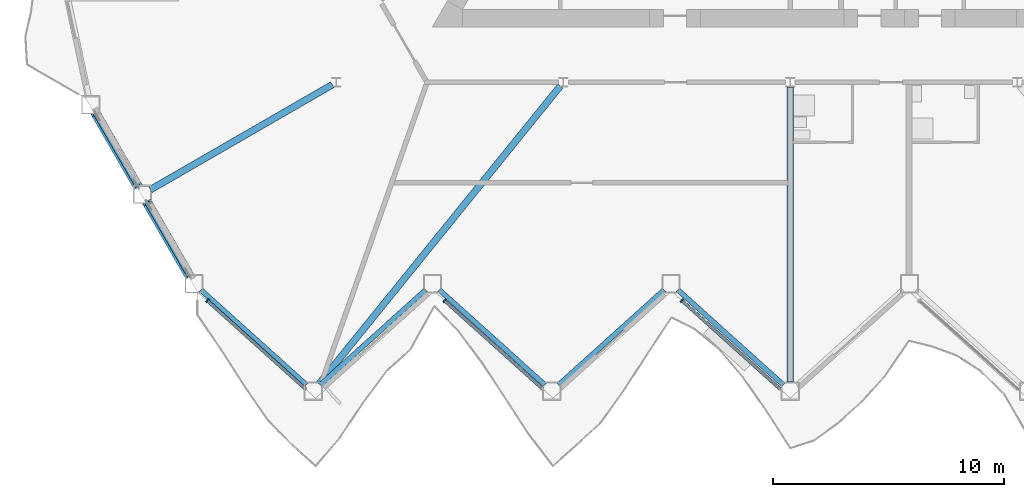
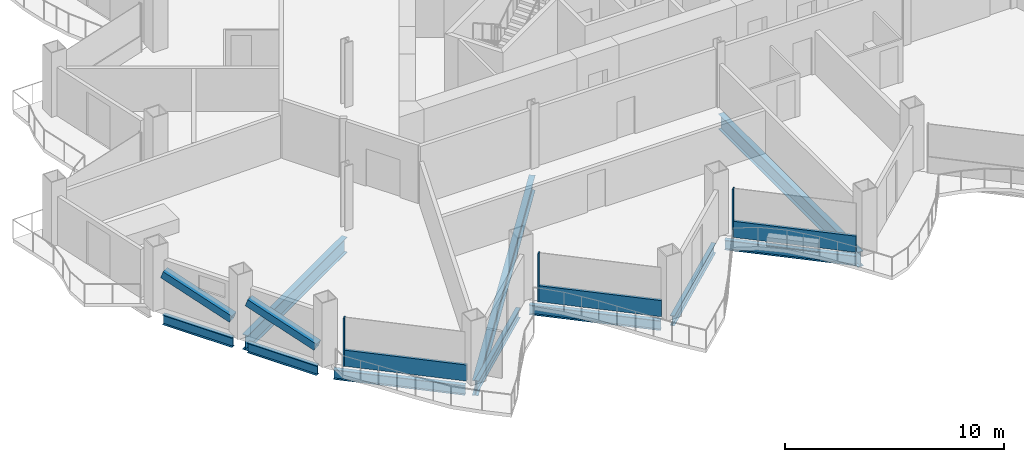
# One storey, part 3 of 22: 10 beams, 8 members, 3 elements without a shape of their own.
"""IFC4 building model written with IfcOpenShell, lengths in metres."""

from ifc_helpers import new_model, si_unit, direction, frame, origin, origin_2d, place, context, subcontext, project, spatial, rectangle, hollow_rectangle, i_section, extrude, material, layer, layer_set, material_profile, profile_set, type_object, element, aggregate, save


model = new_model("IFC4")

# Units and contexts
model_context = context("Model", 3, precision=1e-05, world=origin(), true_north=direction((0.0, 1.0)))
body_context = subcontext(model_context, "Body", "Model", "MODEL_VIEW")
ifc_project = project(units=[si_unit("LENGTHUNIT", "METRE"), si_unit("AREAUNIT", "SQUARE_METRE"), si_unit("VOLUMEUNIT", "CUBIC_METRE"), si_unit("PLANEANGLEUNIT", "RADIAN"), si_unit("MASSUNIT", "GRAM", prefix="KILO")], contexts=[model_context])

# Site, building, storey
site_placement = place(None, origin())
site = spatial("IfcSite", under=ifc_project, at=site_placement, CompositionType="ELEMENT")
building_placement = place(site_placement, origin())
building = spatial("IfcBuilding", under=site, at=building_placement, Name="Cormorant Prow Tower", CompositionType="ELEMENT")
storey_placement = place(building_placement, frame((0.0, 0.0, 190.800048828125)))
storey = spatial("IfcBuildingStorey", under=building, at=storey_placement, Name="L41", CompositionType="ELEMENT", Elevation=190.800048828125)

# Members
ifc_material_1 = material(Name="Structural steel ASTM A500 Gr C", Category="steel")
ifc_material_profile_1 = material_profile(ifc_material_1, hollow_rectangle(XDim=0.406494140625, YDim=0.406494140625, WallThickness=0.01171875, at=origin_2d()), Name="HSS16x16x1/2")
ifc_profile_set_1 = profile_set([ifc_material_profile_1], Name="Structural steel ASTM A500 Gr C")
member_type_1 = type_object("IfcMemberType", Name="Chamfer brace HSS16x16x1/2", PredefinedType="BRACE", material=ifc_profile_set_1)
member_1_placement = place(storey_placement, frame((-28.267333984375, -15.838623046875, 0.739990234375), z_axis=(-0.473992878603, 0.821006330213, 0.318244177926), x_axis=(-0.866032413668, -0.499987858329, 0.0)))
element("IfcMember", 1, at=member_1_placement, inside=storey, type_object=member_type_1, Name="Chamfer brace BR2 at WSW00 L41", PredefinedType="BRACE", context=body_context, shape_type="SweptSolid", body=[
    extrude(hollow_rectangle(XDim=0.406494140625, YDim=0.406494140625, WallThickness=0.01171875, at=origin_2d()), origin(), (0.0, 0.0, 1.0), 3.835693359375),
])
member_2_placement = place(storey_placement, frame((-26.0322265625, -19.7099609375, 0.739990234375), z_axis=(-0.474017648602, 0.820985582338, 0.318260808783), x_axis=(-0.866015628144, -0.500016931523, 0.0)))
element("IfcMember", 2, at=member_2_placement, inside=storey, type_object=member_type_1, Name="Chamfer brace BR2 at WSW01 L41", PredefinedType="BRACE", context=body_context, shape_type="SweptSolid", body=[
    extrude(hollow_rectangle(XDim=0.406494140625, YDim=0.406494140625, WallThickness=0.01171875, at=origin_2d()), origin(), (0.0, 0.0, 1.0), 3.83544921875),
])

# Curtain wall, member
ifc_material_2 = material(Name="Aluminium 6063-T6", Category="aluminium")
ifc_layer = layer(ifc_material_2, 0.179931640625)
ifc_layer_set = layer_set([ifc_layer], Name="Aluminium 6063-T6")
curtain_wall_type = type_object("IfcCurtainWallType", Name="Hotel unitised curtain wall 180", PredefinedType="NOTDEFINED", material=ifc_layer_set)
curtain_wall_1_placement = place(storey_placement, origin())
curtain_wall_1 = element("IfcCurtainWall", 3, at=curtain_wall_1_placement, inside=storey, type_object=curtain_wall_type, Name="Hotel curtain wall S00", PredefinedType="NOTDEFINED")
ifc_material_3 = material(Name="Aluminium 6063-T6", Category="aluminium")
ifc_material_profile_2 = material_profile(ifc_material_3, rectangle(XDim=0.179931640625, YDim=0.06005859375, at=origin_2d()), Name="Hotel mullion 60x180")
ifc_profile_set_2 = profile_set([ifc_material_profile_2], Name="Aluminium 6063-T6")
member_type_2 = type_object("IfcMemberType", Name="Hotel mullion 60x180", PredefinedType="MULLION", material=ifc_profile_set_2)
member_3_placement = place(storey_placement, frame((-25.248291015625, -20.799072265625, 0.0), z_axis=(0.0, 0.0, 1.0), x_axis=(0.66913059916, 0.743144831959, 0.0)))
member_3 = element("IfcMember", 4, at=member_3_placement, type_object=member_type_2, Name="Hotel mullion S00", PredefinedType="MULLION", context=body_context, shape_type="SweptSolid", body=[
    extrude(rectangle(XDim=0.179931640625, YDim=0.06005859375, at=origin_2d()), origin(), (0.0, 0.0, 1.0), 2.700927734375),
])

curtain_wall_2_placement = place(storey_placement, origin())
curtain_wall_2 = element("IfcCurtainWall", 5, at=curtain_wall_2_placement, inside=storey, type_object=curtain_wall_type, Name="Hotel curtain wall S02", PredefinedType="NOTDEFINED")
member_4_placement = place(storey_placement, frame((-14.97119140625, -20.799072265625, 0.0), z_axis=(0.0, 0.0, 1.0), x_axis=(0.66913059916, 0.743144831959, 0.0)))
member_4 = element("IfcMember", 6, at=member_4_placement, type_object=member_type_2, Name="Hotel mullion S02", PredefinedType="MULLION", context=body_context, shape_type="SweptSolid", body=[
    extrude(rectangle(XDim=0.179931640625, YDim=0.06005859375, at=origin_2d()), origin(), (0.0, 0.0, 1.0), 2.700927734375),
])

curtain_wall_3_placement = place(storey_placement, origin())
curtain_wall_3 = element("IfcCurtainWall", 7, at=curtain_wall_3_placement, inside=storey, type_object=curtain_wall_type, Name="Hotel curtain wall S04", PredefinedType="NOTDEFINED")
member_5_placement = place(storey_placement, frame((-4.694091796875, -20.799072265625, 0.0), z_axis=(0.0, 0.0, 1.0), x_axis=(0.66913059916, 0.743144831959, 0.0)))
member_5 = element("IfcMember", 8, at=member_5_placement, type_object=member_type_2, Name="Hotel mullion S04", PredefinedType="MULLION", context=body_context, shape_type="SweptSolid", body=[
    extrude(rectangle(XDim=0.179931640625, YDim=0.06005859375, at=origin_2d()), origin(), (0.0, 0.0, 1.0), 2.700927734375),
])

# Member
ifc_material_4 = material(Name="Terracotta", Category="masonry")
ifc_material_profile_3 = material_profile(ifc_material_4, rectangle(XDim=0.139892578125, YDim=0.89990234375, at=origin_2d()), Name="Hotel terracotta spandrel rail 140x900")
ifc_profile_set_3 = profile_set([ifc_material_profile_3], Name="Terracotta")
member_type_3 = type_object("IfcMemberType", Name="Hotel terracotta spandrel rail 140x900", PredefinedType="USERDEFINED", material=ifc_profile_set_3)
member_6_placement = place(storey_placement, frame((-25.225830078125, -20.819091796875, 0.449951171875), z_axis=(0.743130669923, -0.669146327361, 0.0), x_axis=(0.669146327361, 0.743130669923, 0.0)))
member_6 = element("IfcMember", 9, at=member_6_placement, type_object=member_type_3, Name="Hotel spandrel rail S00", ObjectType="TRANSOM", PredefinedType="USERDEFINED", context=body_context, shape_type="SweptSolid", body=[
    extrude(rectangle(XDim=0.139892578125, YDim=0.89990234375, at=origin_2d()), origin(), (0.0, 0.0, 1.0), 5.71875),
])

aggregate(curtain_wall_1, [member_3, member_6])

member_7_placement = place(storey_placement, frame((-14.948974609375, -20.819091796875, 0.449951171875), z_axis=(0.743130669923, -0.669146327361, 0.0), x_axis=(0.669146327361, 0.743130669923, 0.0)))
member_7 = element("IfcMember", 10, at=member_7_placement, type_object=member_type_3, Name="Hotel spandrel rail S02", ObjectType="TRANSOM", PredefinedType="USERDEFINED", context=body_context, shape_type="SweptSolid", body=[
    extrude(rectangle(XDim=0.139892578125, YDim=0.89990234375, at=origin_2d()), origin(), (0.0, 0.0, 1.0), 5.71875),
])

aggregate(curtain_wall_2, [member_4, member_7])

member_8_placement = place(storey_placement, frame((-4.671875, -20.819091796875, 0.449951171875), z_axis=(0.743130669923, -0.669146327361, 0.0), x_axis=(0.669146327361, 0.743130669923, 0.0)))
member_8 = element("IfcMember", 11, at=member_8_placement, type_object=member_type_3, Name="Hotel spandrel rail S04", ObjectType="TRANSOM", PredefinedType="USERDEFINED", context=body_context, shape_type="SweptSolid", body=[
    extrude(rectangle(XDim=0.139892578125, YDim=0.89990234375, at=origin_2d()), origin(), (0.0, 0.0, 1.0), 5.71875),
])

aggregate(curtain_wall_3, [member_5, member_8])

# Beams
ifc_material_5 = material(Name="Structural steel ASTM A992 Gr 50", Category="steel")
ifc_material_profile_4 = material_profile(ifc_material_5, i_section(OverallWidth=0.29296875, OverallDepth=0.845703125, WebThickness=0.015380859375, FlangeThickness=0.0244140625, at=origin_2d()), Name="W33x141")
ifc_profile_set_4 = profile_set([ifc_material_profile_4], Name="Structural steel ASTM A992 Gr 50")
beam_type_1 = type_object("IfcBeamType", Name="Radial floor beam W33x141", PredefinedType="BEAM", material=ifc_profile_set_4)
beam_1_placement = place(storey_placement, frame((-19.833251953125, -11.45068359375, -0.77294921875), z_axis=(-0.866023373109, -0.500003517217, 0.0), x_axis=(0.500003517217, -0.866023373109, 0.0)))
element("IfcBeam", 12, at=beam_1_placement, inside=storey, type_object=beam_type_1, Name="Radial floor beam FB2 5 L41", PredefinedType="BEAM", context=body_context, shape_type="SweptSolid", body=[
    extrude(i_section(OverallWidth=0.29296875, OverallDepth=0.845703125, WebThickness=0.015380859375, FlangeThickness=0.0244140625, at=origin_2d()), origin(), (0.0, 0.0, 1.0), 9.09814453125),
])
beam_2_placement = place(storey_placement, frame((-9.95654296875, -11.50732421875, -0.77294921875), z_axis=(-0.629385162657, -0.777093505974, 0.0), x_axis=(0.777093505974, -0.629385162657, 0.0)))
element("IfcBeam", 13, at=beam_2_placement, inside=storey, type_object=beam_type_1, Name="Radial floor beam FB2 6 L41", PredefinedType="BEAM", context=body_context, shape_type="SweptSolid", body=[
    extrude(i_section(OverallWidth=0.29296875, OverallDepth=0.845703125, WebThickness=0.015380859375, FlangeThickness=0.0244140625, at=origin_2d()), origin(), (0.0, 0.0, 1.0), 16.6044921875),
])
beam_3_placement = place(storey_placement, frame((0.0, -11.552734375, -0.77294921875), z_axis=(0.0, -1.0, 0.0), x_axis=(1.0, 0.0, 0.0)))
element("IfcBeam", 14, at=beam_3_placement, inside=storey, type_object=beam_type_1, Name="Radial floor beam FB2 7 L41", PredefinedType="BEAM", context=body_context, shape_type="SweptSolid", body=[
    extrude(i_section(OverallWidth=0.29296875, OverallDepth=0.845703125, WebThickness=0.015380859375, FlangeThickness=0.0244140625, at=origin_2d()), origin(), (0.0, 0.0, 1.0), 12.768798828125),
])
ifc_material_6 = material(Name="Structural steel ASTM A992 Gr 50", Category="steel")
ifc_material_profile_5 = material_profile(ifc_material_6, i_section(OverallWidth=0.2138671875, OverallDepth=0.549072265625, WebThickness=0.0146484375, FlangeThickness=0.023681640625, at=origin_2d()), Name="W21x93")
ifc_profile_set_5 = profile_set([ifc_material_profile_5], Name="Structural steel ASTM A992 Gr 50")
beam_type_2 = type_object("IfcBeamType", Name="Spandrel beam W21x93", PredefinedType="SPANDREL", material=ifc_profile_set_5)
beam_4_placement = place(storey_placement, frame((-25.5263671875, -20.3388671875, -0.62451171875), z_axis=(0.743155953285, -0.669118247469, 0.0), x_axis=(0.669118247469, 0.743155953285, 0.0)))
element("IfcBeam", 15, at=beam_4_placement, inside=storey, type_object=beam_type_2, Name="Spandrel beam SB2 S00-S01 L41", PredefinedType="SPANDREL", context=body_context, shape_type="SweptSolid", body=[
    extrude(i_section(OverallWidth=0.2138671875, OverallDepth=0.549072265625, WebThickness=0.0146484375, FlangeThickness=0.023681640625, at=origin_2d()), origin(), (0.0, 0.0, 1.0), 6.14990234375),
])
for number, where, z_axis, x_axis, name in (
    (16, (-20.361572265625, -24.453857421875, -0.62451171875), (0.743138178716, 0.669137988261, 0.0), (-0.669137988261, 0.743138178716, 0.0), "Spandrel beam SB2 S01-S02 L41"),
    (17, (-15.19677734375, -20.3388671875, -0.62451171875), (0.743138178716, -0.669137988261, 0.0), (0.669137988261, 0.743138178716, 0.0), "Spandrel beam SB2 S02-S03 L41"),
):
    element("IfcBeam", number, at=place(storey_placement, frame(where, z_axis=z_axis, x_axis=x_axis)), inside=storey, type_object=beam_type_2, Name=name, PredefinedType="SPANDREL", context=body_context, shape_type="SweptSolid", body=[
        extrude(i_section(OverallWidth=0.2138671875, OverallDepth=0.549072265625, WebThickness=0.0146484375, FlangeThickness=0.023681640625, at=origin_2d()), origin(), (0.0, 0.0, 1.0), 6.149658203125),
    ])
beam_5_placement = place(storey_placement, frame((-10.0322265625, -24.453857421875, -0.62451171875), z_axis=(0.743155953285, 0.669118247469, 0.0), x_axis=(-0.669118247469, 0.743155953285, 0.0)))
element("IfcBeam", 18, at=beam_5_placement, inside=storey, type_object=beam_type_2, Name="Spandrel beam SB2 S03-S04 L41", PredefinedType="SPANDREL", context=body_context, shape_type="SweptSolid", body=[
    extrude(i_section(OverallWidth=0.2138671875, OverallDepth=0.549072265625, WebThickness=0.0146484375, FlangeThickness=0.023681640625, at=origin_2d()), origin(), (0.0, 0.0, 1.0), 6.14990234375),
])
beam_6_placement = place(storey_placement, frame((-4.867431640625, -20.3388671875, -0.62451171875), z_axis=(0.743138178716, -0.669137988261, 0.0), x_axis=(0.669137988261, 0.743138178716, 0.0)))
element("IfcBeam", 19, at=beam_6_placement, inside=storey, type_object=beam_type_2, Name="Spandrel beam SB2 S04-S05 L41", PredefinedType="SPANDREL", context=body_context, shape_type="SweptSolid", body=[
    extrude(i_section(OverallWidth=0.2138671875, OverallDepth=0.549072265625, WebThickness=0.0146484375, FlangeThickness=0.023681640625, at=origin_2d()), origin(), (0.0, 0.0, 1.0), 6.149658203125),
])
for number, where, z_axis, x_axis, name in (
    (20, (-30.093994140625, -12.674560546875, -0.62451171875), (0.499994986164, -0.866028298505, 0.0), (0.866028298505, 0.499994986164, 0.0), "Spandrel beam SB2 WSW00-WSW01 L41"),
    (21, (-27.85888671875, -16.546142578125, -0.62451171875), (0.499994986164, -0.866028298505, 0.0), (0.866028298505, 0.499994986164, 0.0), "Spandrel beam SB2 WSW01-S00 L41"),
):
    element("IfcBeam", number, at=place(storey_placement, frame(where, z_axis=z_axis, x_axis=x_axis)), inside=storey, type_object=beam_type_2, Name=name, PredefinedType="SPANDREL", context=body_context, shape_type="SweptSolid", body=[
        extrude(i_section(OverallWidth=0.2138671875, OverallDepth=0.549072265625, WebThickness=0.0146484375, FlangeThickness=0.023681640625, at=origin_2d()), origin(), (0.0, 0.0, 1.0), 3.67041015625),
    ])

save(model, "model.ifc")
